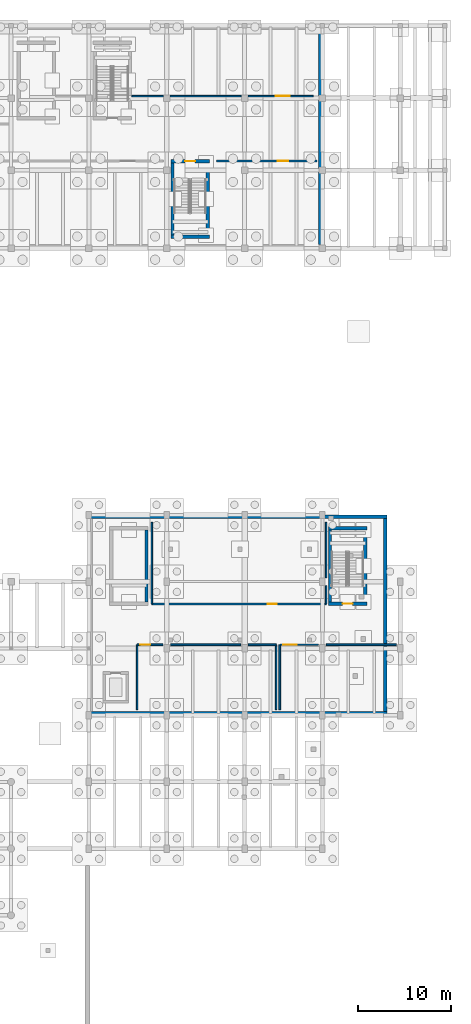
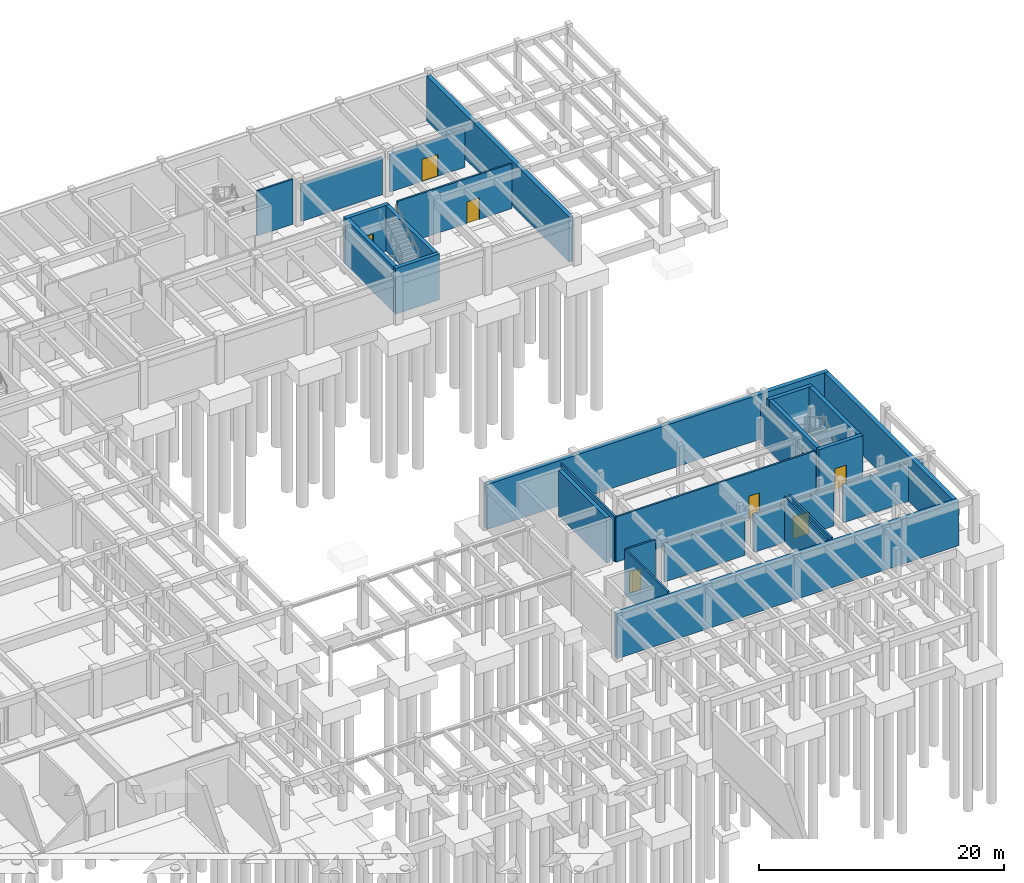
# One storey, part 31 of 46: 29 walls, 7 doors, 7 openings.
"""IFC4 building model written with IfcOpenShell, lengths in metres."""

from ifc_helpers import new_model, si_unit, direction, frame, frame_2d, origin, place, context, subcontext, project, spatial, rectangle, extrude, material, layer, layer_set, type_object, element, fill, save


model = new_model("IFC4")

# Units and contexts
model_context = context("Model", 3, precision=1e-05, world=origin(), true_north=direction((0.0, 1.0)))
body_context = subcontext(model_context, "Body", "Model", "MODEL_VIEW")
ifc_project = project(units=[si_unit("LENGTHUNIT", "METRE"), si_unit("AREAUNIT", "SQUARE_METRE"), si_unit("VOLUMEUNIT", "CUBIC_METRE"), si_unit("PLANEANGLEUNIT", "RADIAN"), si_unit("MASSUNIT", "GRAM", prefix="KILO")], contexts=[model_context])

# Site, building, storey
site_placement = place(None, origin())
site = spatial("IfcSite", under=ifc_project, at=site_placement, CompositionType="ELEMENT")
building_placement = place(site_placement, origin())
building = spatial("IfcBuilding", under=site, at=building_placement, Name="Tazoul Stagehouse", CompositionType="ELEMENT")
storey_placement = place(building_placement, frame((0.0, 0.0, -4.800048828125)))
storey = spatial("IfcBuildingStorey", under=building, at=storey_placement, Name="B1", CompositionType="ELEMENT", Elevation=-4.800048828125)

# Walls
ifc_material_1 = material(Name="Concrete C35/45", Category="concrete")
ifc_layer_1 = layer(ifc_material_1, 0.39990234375, Name="Concrete C35/45")
ifc_layer_set_1 = layer_set([ifc_layer_1], Name="Concrete C35/45")
wall_type_1 = type_object("IfcWallType", Name="Basement Waterproofed Retaining Wall 400", PredefinedType="SOLIDWALL", material=ifc_layer_set_1)
wall_1_placement = place(storey_placement, frame((150.39990234375, 88.199951171875, 0.0), z_axis=(0.0, 0.0, 1.0), x_axis=(0.0, 1.0, 0.0)))
element("IfcWall", 1, at=wall_1_placement, inside=storey, type_object=wall_type_1, Name="B1 Wall RW-400 (RW-B1-V3-E-S1)", PredefinedType="SOLIDWALL", context=body_context, shape_type="SweptSolid", body=[
    extrude(rectangle(XDim=23.199951171875, YDim=0.39990234375, at=frame_2d((11.60009765625, 0.0))), origin(), (0.0, 0.0, 1.0), 4.47998046875),
])
wall_2_placement = place(storey_placement, frame((125.39990234375, 37.60009765625, 0.0), z_axis=(0.0, 0.0, 1.0), x_axis=(1.0, 0.0, 0.0)))
element("IfcWall", 2, at=wall_2_placement, inside=storey, type_object=wall_type_1, Name="B1 Wall RW-400 (RW-B1-V4-S-S1)", PredefinedType="SOLIDWALL", context=body_context, shape_type="SweptSolid", body=[
    extrude(rectangle(XDim=32.2001953125, YDim=0.39990234375, at=frame_2d((16.10009765625, 0.0))), origin(), (0.0, 0.0, 1.0), 4.47998046875),
])
wall_3_placement = place(storey_placement, frame((157.39990234375, 37.800048828125, 0.0), z_axis=(0.0, 0.0, 1.0), x_axis=(0.0, 1.0, 0.0)))
element("IfcWall", 3, at=wall_3_placement, inside=storey, type_object=wall_type_1, Name="B1 Wall RW-400 (RW-B1-V4-E-S1)", PredefinedType="SOLIDWALL", context=body_context, shape_type="SweptSolid", body=[
    extrude(rectangle(XDim=20.800048828125, YDim=0.39990234375, at=frame_2d((10.39990234375, 0.0))), origin(), (0.0, 0.0, 1.0), 4.47998046875),
])
wall_4_placement = place(storey_placement, frame((125.39990234375, 58.800048828125, 0.0), z_axis=(0.0, 0.0, 1.0), x_axis=(1.0, 0.0, 0.0)))
element("IfcWall", 4, at=wall_4_placement, inside=storey, type_object=wall_type_1, Name="B1 Wall RW-400 (RW-B1-V4-N-S1)", PredefinedType="SOLIDWALL", context=body_context, shape_type="SweptSolid", body=[
    extrude(rectangle(XDim=32.2001953125, YDim=0.39990234375, at=frame_2d((16.10009765625, 0.0))), origin(), (0.0, 0.0, 1.0), 4.47998046875),
])
ifc_material_2 = material(Name="Concrete C40/50", Category="concrete")
ifc_layer_2 = layer(ifc_material_2, 0.35009765625, Name="Concrete C40/50")
ifc_layer_set_2 = layer_set([ifc_layer_2], Name="Concrete C40/50")
wall_type_2 = type_object("IfcWallType", Name="Core Shear Wall 350", PredefinedType="SOLIDWALL", material=ifc_layer_set_2)
wall_5_placement = place(storey_placement, frame((138.39990234375, 89.02490234375, 0.0), z_axis=(0.0, 0.0, 1.0), x_axis=(-1.0, 0.0, 0.0)))
element("IfcWall", 5, at=wall_5_placement, inside=storey, type_object=wall_type_2, Name="B1 Core Wall CW-350 (SHF-ST-B4-south)", PredefinedType="SOLIDWALL", context=body_context, shape_type="SweptSolid", body=[
    extrude(rectangle(XDim=4.14990234375, YDim=0.35009765625, at=frame_2d((2.074951171875, 0.0))), origin(), (0.0, 0.0, 1.0), 4.56005859375),
])
wall_6_placement = place(storey_placement, frame((134.425048828125, 89.199951171875, 0.0), z_axis=(0.0, 0.0, 1.0), x_axis=(0.0, 1.0, 0.0)))
element("IfcWall", 6, at=wall_6_placement, inside=storey, type_object=wall_type_2, Name="B1 Core Wall CW-350 (SHF-ST-B4-west)", PredefinedType="SOLIDWALL", context=body_context, shape_type="SweptSolid", body=[
    extrude(rectangle(XDim=7.800048828125, YDim=0.35009765625, at=frame_2d((3.89990234375, 0.0))), origin(), (0.0, 0.0, 1.0), 4.56005859375),
])

# Wall, opening, door
wall_7_placement = place(storey_placement, frame((134.25, 97.175048828125, 0.0), z_axis=(0.0, 0.0, 1.0), x_axis=(1.0, 0.0, 0.0)))
wall_7 = element("IfcWall", 7, at=wall_7_placement, inside=storey, type_object=wall_type_2, Name="B1 Core Wall CW-350 (SHF-ST-B4-north)", PredefinedType="SOLIDWALL", context=body_context, shape_type="SweptSolid", body=[
    extrude(rectangle(XDim=4.14990234375, YDim=0.35009765625, at=frame_2d((2.074951171875, 0.0))), origin(), (0.0, 0.0, 1.0), 4.56005859375),
])
opening_1_placement = place(wall_7_placement, frame((1.52490234375, 0.0, 0.0)))
opening_1 = element("IfcOpeningElement", 8, at=opening_1_placement, cuts=wall_7, Name="Opening FD-01", PredefinedType="OPENING", context=body_context, shape_type="SweptSolid", body=[
    extrude(rectangle(XDim=1.10009765625, YDim=2.14990234375, at=frame_2d((0.550048828125, 1.074951171875))), frame((0.0, 0.195068359375, 0.0), z_axis=(0.0, -1.0, 0.0), x_axis=(1.0, 0.0, 0.0)), (0.0, 0.0, 1.0), 0.39013671875),
])
ifc_material_3 = material(Name="Powder-Coated Galvanised Acoustic Steel", Category="steel")
door_type_1 = type_object("IfcDoorType", Name="Core Escape Stair Fire Door 1100x2150", OperationType="NOTDEFINED", PredefinedType="DOOR", material=ifc_material_3)
door_1_placement = place(opening_1_placement, origin())
door_1 = element("IfcDoor", 9, at=door_1_placement, inside=storey, type_object=door_type_1, Name="B1 Basement Stair Fire Door FD-01 (ST-B4)", OperationType="SINGLE_SWING_RIGHT", OverallHeight=2.14990234375, OverallWidth=1.10009765625, PredefinedType="DOOR", context=body_context, shape_type="SweptSolid", body=[
    extrude(rectangle(XDim=1.10009765625, YDim=2.14990234375, at=frame_2d((0.550048828125, 1.074951171875))), frame((0.0, 0.02490234375, 0.0), z_axis=(0.0, -1.0, 0.0), x_axis=(1.0, 0.0, 0.0)), (0.0, 0.0, 1.0), 0.050048828125),
])
fill(opening_1, door_1)

# Walls
wall_8_placement = place(storey_placement, frame((138.22509765625, 97.0, 0.0), z_axis=(0.0, 0.0, 1.0), x_axis=(0.0, -1.0, 0.0)))
element("IfcWall", 10, at=wall_8_placement, inside=storey, type_object=wall_type_2, Name="B1 Core Wall CW-350 (SHF-ST-B4-east)", PredefinedType="SOLIDWALL", context=body_context, shape_type="SweptSolid", body=[
    extrude(rectangle(XDim=7.800048828125, YDim=0.35009765625, at=frame_2d((3.89990234375, 0.0))), origin(), (0.0, 0.0, 1.0), 4.56005859375),
])
wall_9_placement = place(storey_placement, frame((131.625, 57.39990234375, 0.0), z_axis=(0.0, 0.0, 1.0), x_axis=(0.0, -1.0, 0.0)))
element("IfcWall", 11, at=wall_9_placement, inside=storey, type_object=wall_type_2, Name="B1 Core Wall CW-350 (SHF-ST-07-east)", PredefinedType="SOLIDWALL", context=body_context, shape_type="SweptSolid", body=[
    extrude(rectangle(XDim=7.7998046875, YDim=0.35009765625, at=frame_2d((3.89990234375, 0.0))), origin(), (0.0, 0.0, 1.0), 4.52001953125),
])

# Wall, opening, door
wall_10_placement = place(storey_placement, frame((155.39990234375, 49.425048828125, 0.0), z_axis=(0.0, 0.0, 1.0), x_axis=(-1.0, 0.0, 0.0)))
wall_10 = element("IfcWall", 12, at=wall_10_placement, inside=storey, type_object=wall_type_2, Name="B1 Core Wall CW-350 (SHF-ST-B7-south)", PredefinedType="SOLIDWALL", context=body_context, shape_type="SweptSolid", body=[
    extrude(rectangle(XDim=4.14990234375, YDim=0.35009765625, at=frame_2d((2.074951171875, 0.0))), origin(), (0.0, 0.0, 1.0), 4.56005859375),
])
opening_2_placement = place(wall_10_placement, frame((1.52490234375, 0.0, 0.0)))
opening_2 = element("IfcOpeningElement", 13, at=opening_2_placement, cuts=wall_10, Name="Opening FD-01", PredefinedType="OPENING", context=body_context, shape_type="SweptSolid", body=[
    extrude(rectangle(XDim=1.10009765625, YDim=2.14990234375, at=frame_2d((0.550048828125, 1.074951171875))), frame((0.0, 0.195068359375, 0.0), z_axis=(0.0, -1.0, 0.0), x_axis=(1.0, 0.0, 0.0)), (0.0, 0.0, 1.0), 0.39013671875),
])
door_2_placement = place(opening_2_placement, origin())
door_2 = element("IfcDoor", 14, at=door_2_placement, inside=storey, type_object=door_type_1, Name="B1 Basement Stair Fire Door FD-01 (ST-B7)", OperationType="SINGLE_SWING_LEFT", OverallHeight=2.14990234375, OverallWidth=1.10009765625, PredefinedType="DOOR", context=body_context, shape_type="SweptSolid", body=[
    extrude(rectangle(XDim=1.10009765625, YDim=2.14990234375, at=frame_2d((0.550048828125, 1.074951171875))), frame((0.0, 0.02490234375, 0.0), z_axis=(0.0, -1.0, 0.0), x_axis=(1.0, 0.0, 0.0)), (0.0, 0.0, 1.0), 0.050048828125),
])
fill(opening_2, door_2)

# Walls
wall_11_placement = place(storey_placement, frame((151.425048828125, 49.60009765625, 0.0), z_axis=(0.0, 0.0, 1.0), x_axis=(0.0, 1.0, 0.0)))
element("IfcWall", 15, at=wall_11_placement, inside=storey, type_object=wall_type_2, Name="B1 Core Wall CW-350 (SHF-ST-B7-west)", PredefinedType="SOLIDWALL", context=body_context, shape_type="SweptSolid", body=[
    extrude(rectangle(XDim=7.7998046875, YDim=0.35009765625, at=frame_2d((3.89990234375, 0.0))), origin(), (0.0, 0.0, 1.0), 4.56005859375),
])
wall_12_placement = place(storey_placement, frame((151.25, 57.574951171875, 0.0), z_axis=(0.0, 0.0, 1.0), x_axis=(1.0, 0.0, 0.0)))
element("IfcWall", 16, at=wall_12_placement, inside=storey, type_object=wall_type_2, Name="B1 Core Wall CW-350 (SHF-ST-B7-north)", PredefinedType="SOLIDWALL", context=body_context, shape_type="SweptSolid", body=[
    extrude(rectangle(XDim=4.14990234375, YDim=0.35009765625, at=frame_2d((2.074951171875, 0.0))), origin(), (0.0, 0.0, 1.0), 4.56005859375),
])
wall_13_placement = place(storey_placement, frame((155.22509765625, 57.39990234375, 0.0), z_axis=(0.0, 0.0, 1.0), x_axis=(0.0, -1.0, 0.0)))
element("IfcWall", 17, at=wall_13_placement, inside=storey, type_object=wall_type_2, Name="B1 Core Wall CW-350 (SHF-ST-B7-east)", PredefinedType="SOLIDWALL", context=body_context, shape_type="SweptSolid", body=[
    extrude(rectangle(XDim=7.7998046875, YDim=0.35009765625, at=frame_2d((3.89990234375, 0.0))), origin(), (0.0, 0.0, 1.0), 4.56005859375),
])

# Wall, opening, door
ifc_material_4 = material(Name="Gypsum Acoustic Partition", Category="gypsum")
ifc_layer_3 = layer(ifc_material_4, 0.169921875, Name="Gypsum Acoustic Partition")
ifc_layer_set_3 = layer_set([ifc_layer_3], Name="Gypsum Acoustic Partition")
wall_type_3 = type_object("IfcWallType", Name="Corridor Fire-Rated Partition 170", PredefinedType="PARTITIONING", material=ifc_layer_set_3)
wall_14_placement = place(storey_placement, frame((139.199951171875, 97.199951171875, 0.0), z_axis=(0.0, 0.0, 1.0), x_axis=(1.0, 0.0, 0.0)))
wall_14 = element("IfcWall", 18, at=wall_14_placement, inside=storey, type_object=wall_type_3, Name="B1 Partition PW-170 (PW-RM-B1-007-N)", PredefinedType="PARTITIONING", context=body_context, shape_type="SweptSolid", body=[
    extrude(rectangle(XDim=10.800048828125, YDim=0.169921875, at=frame_2d((5.39990234375, 0.0))), origin(), (0.0, 0.0, 1.0), 4.47998046875),
])
opening_3_placement = place(wall_14_placement, frame((6.565185546875, 0.0, 0.0)))
opening_3 = element("IfcOpeningElement", 19, at=opening_3_placement, cuts=wall_14, Name="Opening ID-10", PredefinedType="OPENING", context=body_context, shape_type="SweptSolid", body=[
    extrude(rectangle(XDim=1.14990234375, YDim=2.14990234375, at=frame_2d((0.574951171875, 1.074951171875))), frame((0.0, 0.10498046875, 0.0), z_axis=(0.0, -1.0, 0.0), x_axis=(1.0, 0.0, 0.0)), (0.0, 0.0, 1.0), 0.2099609375),
])
ifc_material_5 = material(Name="Acoustic Cedar Timber", Category="wood")
door_type_2 = type_object("IfcDoorType", Name="Plantroom Rated Single Door 1150x2150", OperationType="NOTDEFINED", PredefinedType="DOOR", material=ifc_material_5)
door_3_placement = place(opening_3_placement, origin())
door_3 = element("IfcDoor", 20, at=door_3_placement, inside=storey, type_object=door_type_2, Name="B1 Sprinkler Pump and Fire Water Tank Room Door", OperationType="SINGLE_SWING_RIGHT", OverallHeight=2.14990234375, OverallWidth=1.14990234375, PredefinedType="DOOR", context=body_context, shape_type="SweptSolid", body=[
    extrude(rectangle(XDim=1.14990234375, YDim=2.14990234375, at=frame_2d((0.574951171875, 1.074951171875))), frame((0.0, 0.02490234375, 0.0), z_axis=(0.0, -1.0, 0.0), x_axis=(1.0, 0.0, 0.0)), (0.0, 0.0, 1.0), 0.050048828125),
])
fill(opening_3, door_3)

wall_15_placement = place(storey_placement, frame((130.60009765625, 45.0, 0.0), z_axis=(0.0, 0.0, 1.0), x_axis=(1.0, 0.0, 0.0)))
wall_15 = element("IfcWall", 21, at=wall_15_placement, inside=storey, type_object=wall_type_3, Name="B1 Partition PW-170 (PW-RM-B1-009-N-S1)", PredefinedType="PARTITIONING", context=body_context, shape_type="SweptSolid", body=[
    extrude(rectangle(XDim=2.77978515625, YDim=0.169921875, at=frame_2d((1.389892578125, 0.0))), origin(), (0.0, 0.0, 1.0), 4.52001953125),
])
opening_4_placement = place(wall_15_placement, frame((0.35009765625, 0.0, 0.0)))
opening_4 = element("IfcOpeningElement", 22, at=opening_4_placement, cuts=wall_15, Name="Opening ID-09", PredefinedType="OPENING", context=body_context, shape_type="SweptSolid", body=[
    extrude(rectangle(XDim=1.10009765625, YDim=2.10009765625, at=frame_2d((0.550048828125, 1.050048828125))), frame((0.0, 0.10498046875, 0.0), z_axis=(0.0, -1.0, 0.0), x_axis=(1.0, 0.0, 0.0)), (0.0, 0.0, 1.0), 0.2099609375),
])
door_type_3 = type_object("IfcDoorType", Name="Store Room Steel Door 1100x2100", OperationType="NOTDEFINED", PredefinedType="DOOR", material=ifc_material_5)
door_4_placement = place(opening_4_placement, origin())
door_4 = element("IfcDoor", 23, at=door_4_placement, inside=storey, type_object=door_type_3, Name="B1 Studio Lower Technical Store Door", OperationType="SINGLE_SWING_LEFT", OverallHeight=2.10009765625, OverallWidth=1.10009765625, PredefinedType="DOOR", context=body_context, shape_type="SweptSolid", body=[
    extrude(rectangle(XDim=1.10009765625, YDim=2.10009765625, at=frame_2d((0.550048828125, 1.050048828125))), frame((0.0, 0.02490234375, 0.0), z_axis=(0.0, -1.0, 0.0), x_axis=(1.0, 0.0, 0.0)), (0.0, 0.0, 1.0), 0.050048828125),
])
fill(opening_4, door_4)

# Walls
wall_16_placement = place(storey_placement, frame((134.219970703125, 45.0, 0.0), z_axis=(0.0, 0.0, 1.0), x_axis=(1.0, 0.0, 0.0)))
element("IfcWall", 24, at=wall_16_placement, inside=storey, type_object=wall_type_3, Name="B1 Partition PW-170 (PW-RM-B1-009-N-S2)", PredefinedType="PARTITIONING", context=body_context, shape_type="SweptSolid", body=[
    extrude(rectangle(XDim=7.56005859375, YDim=0.169921875, at=frame_2d((3.780029296875, 0.0))), origin(), (0.0, 0.0, 1.0), 3.7900390625),
])
wall_17_placement = place(storey_placement, frame((142.6201171875, 45.0, 0.0), z_axis=(0.0, 0.0, 1.0), x_axis=(1.0, 0.0, 0.0)))
element("IfcWall", 25, at=wall_17_placement, inside=storey, type_object=wall_type_3, Name="B1 Partition PW-170 (PW-RM-B1-009-N-S3)", PredefinedType="PARTITIONING", context=body_context, shape_type="SweptSolid", body=[
    extrude(rectangle(XDim=2.97998046875, YDim=0.169921875, at=frame_2d((1.489990234375, 0.0))), origin(), (0.0, 0.0, 1.0), 3.7900390625),
])
for number, where, z_axis, x_axis, name in (
    (26, (130.60009765625, 38.0, 0.0), (0.0, 0.0, 1.0), (0.0, 1.0, 0.0), "B1 Partition PW-170 (PW-RM-B1-009-W)"),
    (27, (145.60009765625, 45.0, 0.0), (0.0, 0.0, 1.0), (0.0, -1.0, 0.0), "B1 Partition PW-170 (PW-RM-B1-009-E)"),
):
    element("IfcWall", number, at=place(storey_placement, frame(where, z_axis=z_axis, x_axis=x_axis)), inside=storey, type_object=wall_type_3, Name=name, PredefinedType="PARTITIONING", context=body_context, shape_type="SweptSolid", body=[
        extrude(rectangle(XDim=7.0, YDim=0.169921875, at=frame_2d((3.5, 0.0))), origin(), (0.0, 0.0, 1.0), 4.52001953125),
    ])

# Wall, opening, door
wall_18_placement = place(storey_placement, frame((146.0, 45.0, 0.0), z_axis=(0.0, 0.0, 1.0), x_axis=(1.0, 0.0, 0.0)))
wall_18 = element("IfcWall", 28, at=wall_18_placement, inside=storey, type_object=wall_type_3, Name="B1 Partition PW-170 (PW-RM-B1-010-N-S1)", PredefinedType="PARTITIONING", context=body_context, shape_type="SweptSolid", body=[
    extrude(rectangle(XDim=4.179931640625, YDim=0.169921875, at=frame_2d((2.08984375, 0.0))), origin(), (0.0, 0.0, 1.0), 3.7900390625),
])
opening_5_placement = place(wall_18_placement, frame((0.35009765625, 0.0, 0.0)))
opening_5 = element("IfcOpeningElement", 29, at=opening_5_placement, cuts=wall_18, Name="Opening ID-13", PredefinedType="OPENING", context=body_context, shape_type="SweptSolid", body=[
    extrude(rectangle(XDim=1.5, YDim=2.199951171875, at=frame_2d((0.75, 1.10009765625))), frame((0.0, 0.10498046875, 0.0), z_axis=(0.0, -1.0, 0.0), x_axis=(1.0, 0.0, 0.0)), (0.0, 0.0, 1.0), 0.2099609375),
])
door_type_4 = type_object("IfcDoorType", Name="Plantroom Double Access Door 1500x2200", OperationType="DOUBLE_DOOR_SINGLE_SWING", PredefinedType="DOOR", material=ifc_material_5)
door_5_placement = place(opening_5_placement, origin())
door_5 = element("IfcDoor", 30, at=door_5_placement, inside=storey, type_object=door_type_4, Name="B1 Electrical Substation and Emergency Generator Room Door", OperationType="DOUBLE_DOOR_SINGLE_SWING", OverallHeight=2.199951171875, OverallWidth=1.5, PredefinedType="DOOR", context=body_context, shape_type="SweptSolid", body=[
    extrude(rectangle(XDim=1.5, YDim=2.199951171875, at=frame_2d((0.75, 1.10009765625))), frame((0.0, 0.02490234375, 0.0), z_axis=(0.0, -1.0, 0.0), x_axis=(1.0, 0.0, 0.0)), (0.0, 0.0, 1.0), 0.050048828125),
])
fill(opening_5, door_5)

# Walls
wall_19_placement = place(storey_placement, frame((151.02001953125, 45.0, 0.0), z_axis=(0.0, 0.0, 1.0), x_axis=(1.0, 0.0, 0.0)))
element("IfcWall", 31, at=wall_19_placement, inside=storey, type_object=wall_type_3, Name="B1 Partition PW-170 (PW-RM-B1-010-N-S2)", PredefinedType="PARTITIONING", context=body_context, shape_type="SweptSolid", body=[
    extrude(rectangle(XDim=7.56005859375, YDim=0.169921875, at=frame_2d((3.780029296875, 0.0))), origin(), (0.0, 0.0, 1.0), 3.7900390625),
])
wall_20_placement = place(storey_placement, frame((146.0, 38.0, 0.0), z_axis=(0.0, 0.0, 1.0), x_axis=(0.0, 1.0, 0.0)))
element("IfcWall", 32, at=wall_20_placement, inside=storey, type_object=wall_type_3, Name="B1 Partition PW-170 (PW-RM-B1-010-W)", PredefinedType="PARTITIONING", context=body_context, shape_type="SweptSolid", body=[
    extrude(rectangle(XDim=7.0, YDim=0.169921875, at=frame_2d((3.5, 0.0))), origin(), (0.0, 0.0, 1.0), 4.52001953125),
])

# Wall, opening, door
wall_21_placement = place(storey_placement, frame((149.60009765625, 104.199951171875, 0.0), z_axis=(0.0, 0.0, 1.0), x_axis=(-1.0, 0.0, 0.0)))
wall_21 = element("IfcWall", 33, at=wall_21_placement, inside=storey, type_object=wall_type_3, Name="B1 Partition PW-170 (PW-RM-B1-099-S-S1)", PredefinedType="PARTITIONING", context=body_context, shape_type="SweptSolid", body=[
    extrude(rectangle(XDim=7.030029296875, YDim=0.169921875, at=frame_2d((3.51513671875, 0.0))), origin(), (0.0, 0.0, 1.0), 3.75),
])
opening_6_placement = place(wall_21_placement, frame((2.5234375, 0.0, 0.0)))
opening_6 = element("IfcOpeningElement", 34, at=opening_6_placement, cuts=wall_21, Name="Opening ID-13", PredefinedType="OPENING", context=body_context, shape_type="SweptSolid", body=[
    extrude(rectangle(XDim=1.5, YDim=2.199951171875, at=frame_2d((0.75, 1.10009765625))), frame((0.0, 0.10498046875, 0.0), z_axis=(0.0, -1.0, 0.0), x_axis=(1.0, 0.0, 0.0)), (0.0, 0.0, 1.0), 0.2099609375),
])
door_6_placement = place(opening_6_placement, origin())
door_6 = element("IfcDoor", 35, at=door_6_placement, inside=storey, type_object=door_type_4, Name="B1 Backstage Acoustic Chiller Expansion Hall Door", OperationType="DOUBLE_DOOR_SINGLE_SWING", OverallHeight=2.199951171875, OverallWidth=1.5, PredefinedType="DOOR", context=body_context, shape_type="SweptSolid", body=[
    extrude(rectangle(XDim=1.5, YDim=2.199951171875, at=frame_2d((0.75, 1.10009765625))), frame((0.0, 0.02490234375, 0.0), z_axis=(0.0, -1.0, 0.0), x_axis=(1.0, 0.0, 0.0)), (0.0, 0.0, 1.0), 0.050048828125),
])
fill(opening_6, door_6)

# Walls
wall_22_placement = place(storey_placement, frame((141.830078125, 104.199951171875, 0.0), z_axis=(0.0, 0.0, 1.0), x_axis=(-1.0, 0.0, 0.0)))
element("IfcWall", 36, at=wall_22_placement, inside=storey, type_object=wall_type_3, Name="B1 Partition PW-170 (PW-RM-B1-099-S-S2)", PredefinedType="PARTITIONING", context=body_context, shape_type="SweptSolid", body=[
    extrude(rectangle(XDim=7.66015625, YDim=0.169921875, at=frame_2d((3.830078125, 0.0))), origin(), (0.0, 0.0, 1.0), 3.75),
])
wall_23_placement = place(storey_placement, frame((133.429931640625, 104.199951171875, 0.0), z_axis=(0.0, 0.0, 1.0), x_axis=(-1.0, 0.0, 0.0)))
element("IfcWall", 37, at=wall_23_placement, inside=storey, type_object=wall_type_3, Name="B1 Partition PW-170 (PW-RM-B1-099-S-S3)", PredefinedType="PARTITIONING", context=body_context, shape_type="SweptSolid", body=[
    extrude(rectangle(XDim=3.389892578125, YDim=0.169921875, at=frame_2d((1.69482421875, 0.0))), origin(), (0.0, 0.0, 1.0), 4.47998046875),
])

# Wall, opening, door
wall_24_placement = place(storey_placement, frame((151.0, 49.39990234375, 0.0), z_axis=(0.0, 0.0, 1.0), x_axis=(-1.0, 0.0, 0.0)))
wall_24 = element("IfcWall", 38, at=wall_24_placement, inside=storey, type_object=wall_type_3, Name="B1 Partition PW-170 (PW-RM-B1-103-S)", PredefinedType="PARTITIONING", context=body_context, shape_type="SweptSolid", body=[
    extrude(rectangle(XDim=18.800048828125, YDim=0.169921875, at=frame_2d((9.39990234375, 0.0))), origin(), (0.0, 0.0, 1.0), 4.52001953125),
])
opening_7_placement = place(wall_24_placement, frame((5.306396484375, 0.0, 0.0)))
opening_7 = element("IfcOpeningElement", 39, at=opening_7_placement, cuts=wall_24, Name="Opening ID-06", PredefinedType="OPENING", context=body_context, shape_type="SweptSolid", body=[
    extrude(rectangle(XDim=1.0, YDim=2.199951171875, at=frame_2d((0.5, 1.10009765625))), frame((0.0, 0.10498046875, 0.0), z_axis=(0.0, -1.0, 0.0), x_axis=(1.0, 0.0, 0.0)), (0.0, 0.0, 1.0), 0.2099609375),
])
door_type_5 = type_object("IfcDoorType", Name="Archive Rated Door 1000x2200", OperationType="NOTDEFINED", PredefinedType="DOOR", material=ifc_material_5)
door_7_placement = place(opening_7_placement, origin())
door_7 = element("IfcDoor", 40, at=door_7_placement, inside=storey, type_object=door_type_5, Name="B1 Studio Orchestra Percussion Vault Door", OperationType="SINGLE_SWING_RIGHT", OverallHeight=2.199951171875, OverallWidth=1.0, PredefinedType="DOOR", context=body_context, shape_type="SweptSolid", body=[
    extrude(rectangle(XDim=1.0, YDim=2.199951171875, at=frame_2d((0.5, 1.10009765625))), frame((0.0, 0.02490234375, 0.0), z_axis=(0.0, -1.0, 0.0), x_axis=(1.0, 0.0, 0.0)), (0.0, 0.0, 1.0), 0.050048828125),
])
fill(opening_7, door_7)

# Walls
wall_25_placement = place(storey_placement, frame((132.199951171875, 49.39990234375, 0.0), z_axis=(0.0, 0.0, 1.0), x_axis=(0.0, 1.0, 0.0)))
element("IfcWall", 41, at=wall_25_placement, inside=storey, type_object=wall_type_3, Name="B1 Partition PW-170 (PW-RM-B1-103-W)", PredefinedType="PARTITIONING", context=body_context, shape_type="SweptSolid", body=[
    extrude(rectangle(XDim=8.800048828125, YDim=0.169921875, at=frame_2d((4.39990234375, 0.0))), origin(), (0.0, 0.0, 1.0), 4.52001953125),
])
wall_26_placement = place(storey_placement, frame((151.0, 58.199951171875, 0.0), z_axis=(0.0, 0.0, 1.0), x_axis=(0.0, -1.0, 0.0)))
element("IfcWall", 42, at=wall_26_placement, inside=storey, type_object=wall_type_3, Name="B1 Partition PW-170 (PW-RM-B1-103-E-S1)", PredefinedType="PARTITIONING", context=body_context, shape_type="SweptSolid", body=[
    extrude(rectangle(XDim=5.97998046875, YDim=0.169921875, at=frame_2d((2.989990234375, 0.0))), origin(), (0.0, 0.0, 1.0), 3.840087890625),
])
wall_27_placement = place(storey_placement, frame((151.0, 51.3798828125, 0.0), z_axis=(0.0, 0.0, 1.0), x_axis=(0.0, -1.0, 0.0)))
element("IfcWall", 43, at=wall_27_placement, inside=storey, type_object=wall_type_3, Name="B1 Partition PW-170 (PW-RM-B1-103-E-S2)", PredefinedType="PARTITIONING", context=body_context, shape_type="SweptSolid", body=[
    extrude(rectangle(XDim=1.97998046875, YDim=0.169921875, at=frame_2d((0.989990234375, 0.0))), origin(), (0.0, 0.0, 1.0), 3.840087890625),
])

save(model, "model.ifc")
